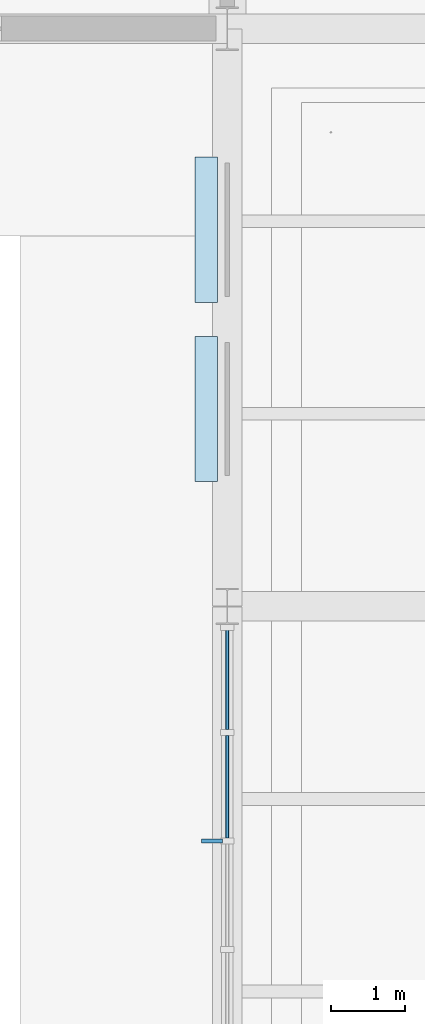
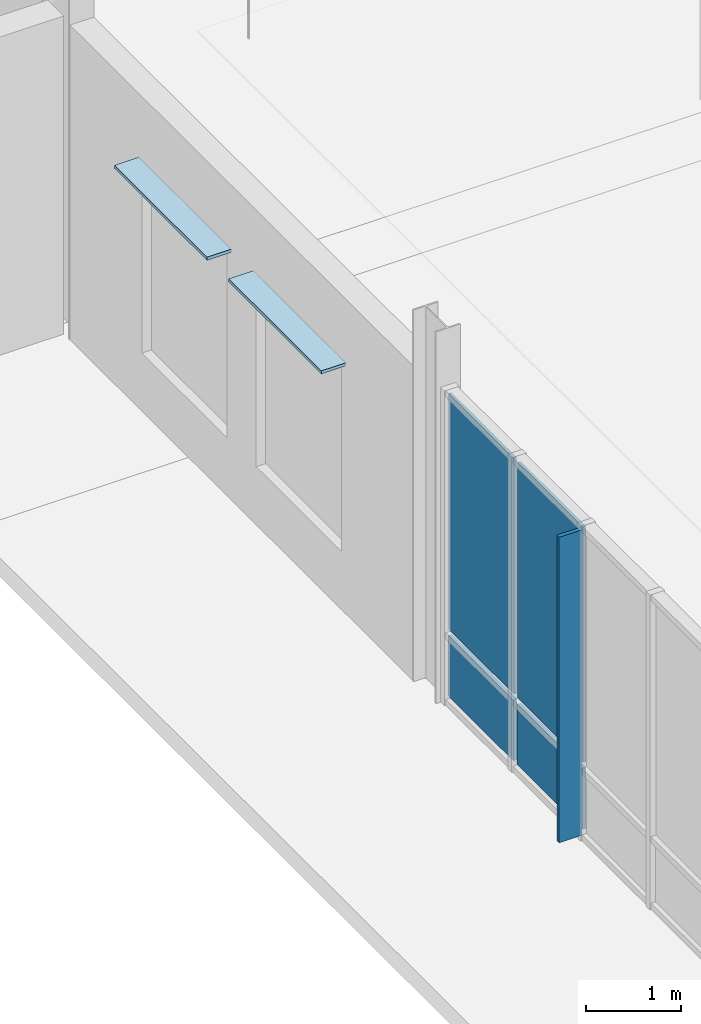
# One storey, part 46 of 82: 7 plates, 1 element without a shape of its own.
"""IFC4 building model written with IfcOpenShell, lengths in metres."""

from ifc_helpers import new_model, si_unit, direction, frame, origin, origin_2d, place, context, subcontext, project, spatial, rectangle, extrude, material, layer, layer_set, type_object, element, aggregate, save


model = new_model("IFC4")

# Units and contexts
model_context = context("Model", 3, precision=1e-05, world=origin(), true_north=direction((0.0, 1.0)))
body_context = subcontext(model_context, "Body", "Model", "MODEL_VIEW")
ifc_project = project(units=[si_unit("LENGTHUNIT", "METRE"), si_unit("AREAUNIT", "SQUARE_METRE"), si_unit("VOLUMEUNIT", "CUBIC_METRE"), si_unit("PLANEANGLEUNIT", "RADIAN"), si_unit("MASSUNIT", "GRAM", prefix="KILO")], contexts=[model_context])

# Site, building, storey
site_placement = place(None, origin())
site = spatial("IfcSite", under=ifc_project, at=site_placement, CompositionType="ELEMENT")
building_placement = place(site_placement, origin())
building = spatial("IfcBuilding", under=site, at=building_placement, Name="Yukiwa Park Conservatory and Herbarium", CompositionType="ELEMENT")
storey_placement = place(building_placement, origin())
storey = spatial("IfcBuildingStorey", under=building, at=storey_placement, Name="L00", CompositionType="ELEMENT", Elevation=0.0)

# Curtain wall, plates
ifc_material_1 = material(Name="Triple Low-E Insulated Glass", Category="glass")
ifc_layer_1 = layer(ifc_material_1, 0.199951171875)
ifc_layer_set_1 = layer_set([ifc_layer_1], Name="Triple Low-E Insulated Glass")
curtain_wall_type = type_object("IfcCurtainWallType", Name="CW-VISITOR-1600", PredefinedType="NOTDEFINED", material=ifc_layer_set_1)
curtain_wall_placement = place(storey_placement, origin())
curtain_wall = element("IfcCurtainWall", 1, at=curtain_wall_placement, inside=storey, type_object=curtain_wall_type, Name="L00 unitised curtain wall CW-L00-017", PredefinedType="NOTDEFINED")
ifc_material_2 = material(Name="Triple Low-E Insulated Glass", Category="glass")
ifc_layer_2 = layer(ifc_material_2, 0.035888671875)
ifc_layer_set_2 = layer_set([ifc_layer_2], Name="Triple Low-E Insulated Glass")
plate_type_1 = type_object("IfcPlateType", Name="PL-CW-GLZ-36", PredefinedType="CURTAIN_PANEL", material=ifc_layer_set_2)
plate_1_placement = place(storey_placement, frame((60.0, 69.224853515625, 0.93994140625), z_axis=(0.0, 0.0, 1.0), x_axis=(0.0, -1.0, 0.0)))
plate_1 = element("IfcPlate", 2, at=plate_1_placement, type_object=plate_type_1, Name="CW-L00-017 vision panel 1.2", PredefinedType="CURTAIN_PANEL", context=body_context, shape_type="SweptSolid", body=[
    extrude(rectangle(XDim=1.38232421875, YDim=0.035888671875, at=origin_2d()), origin(), (0.0, 0.0, 1.0), 3.0458984375),
])
plate_2_placement = place(storey_placement, frame((60.0, 67.762451171875, 0.93994140625), z_axis=(0.0, 0.0, 1.0), x_axis=(0.0, -1.0, 0.0)))
plate_2 = element("IfcPlate", 3, at=plate_2_placement, type_object=plate_type_1, Name="CW-L00-017 vision panel 2.2", PredefinedType="CURTAIN_PANEL", context=body_context, shape_type="SweptSolid", body=[
    extrude(rectangle(XDim=1.38232421875, YDim=0.035888671875, at=origin_2d()), origin(), (0.0, 0.0, 1.0), 3.0458984375),
])
ifc_material_3 = material(Name="Anodised Aluminium", Category="aluminium")
ifc_layer_3 = layer(ifc_material_3, 0.044921875)
ifc_layer_set_3 = layer_set([ifc_layer_3], Name="Anodised Aluminium")
plate_type_2 = type_object("IfcPlateType", Name="PL-CW-SPN-45", PredefinedType="CURTAIN_PANEL", material=ifc_layer_set_3)
plate_3_placement = place(storey_placement, frame((60.0, 69.224853515625, 0.080078125), z_axis=(0.0, 0.0, 1.0), x_axis=(0.0, -1.0, 0.0)))
plate_3 = element("IfcPlate", 4, at=plate_3_placement, type_object=plate_type_2, Name="CW-L00-017 spandrel panel 1.1", PredefinedType="CURTAIN_PANEL", context=body_context, shape_type="SweptSolid", body=[
    extrude(rectangle(XDim=1.38232421875, YDim=0.044921875, at=origin_2d()), origin(), (0.0, 0.0, 1.0), 0.780029296875),
])
plate_4_placement = place(storey_placement, frame((60.0, 67.762451171875, 0.080078125), z_axis=(0.0, 0.0, 1.0), x_axis=(0.0, -1.0, 0.0)))
plate_4 = element("IfcPlate", 5, at=plate_4_placement, type_object=plate_type_2, Name="CW-L00-017 spandrel panel 2.1", PredefinedType="CURTAIN_PANEL", context=body_context, shape_type="SweptSolid", body=[
    extrude(rectangle(XDim=1.38232421875, YDim=0.044921875, at=origin_2d()), origin(), (0.0, 0.0, 1.0), 0.780029296875),
])
aggregate(curtain_wall, [plate_3, plate_1, plate_4, plate_2])

# Plates
ifc_material_4 = material(Name="Anodised Aluminium", Category="aluminium")
ifc_layer_4 = layer(ifc_material_4, 0.050048828125)
ifc_layer_set_4 = layer_set([ifc_layer_4], Name="Anodised Aluminium")
plate_type_3 = type_object("IfcPlateType", Name="PL-FIN-ALU-50", PredefinedType="USERDEFINED", material=ifc_layer_set_4)
plate_5_placement = place(storey_placement, frame((59.794921875, 67.03125, 0.06005859375), z_axis=(0.0, 0.0, 1.0), x_axis=(0.0, -1.0, 0.0)))
element("IfcPlate", 6, at=plate_5_placement, inside=storey, type_object=plate_type_3, Name="CW-L00-017 exterior vertical shading fin", ObjectType="SHADING FIN", PredefinedType="USERDEFINED", context=body_context, shape_type="SweptSolid", body=[
    extrude(rectangle(XDim=0.050048828125, YDim=0.280029296875, at=origin_2d()), origin(), (0.0, 0.0, 1.0), 3.946044921875),
])
ifc_material_5 = material(Name="Anodised Aluminium", Category="aluminium")
ifc_layer_5 = layer(ifc_material_5, 0.0400390625)
ifc_layer_set_5 = layer_set([ifc_layer_5], Name="Anodised Aluminium")
plate_type_4 = type_object("IfcPlateType", Name="PL-SHADE-ALU-40", PredefinedType="SHEET", material=ifc_layer_set_5)
for number, where, z_axis, x_axis, name in (
    (7, (59.715087890625, 75.284912109375, 3.18994140625), (0.0, 0.0, 1.0), (0.0, -1.0, 0.0), "L00 snow-shedding window hood 22"),
    (8, (59.715087890625, 72.864990234375, 3.18994140625), (0.0, 0.0, 1.0), (0.0, -1.0, 0.0), "L00 snow-shedding window hood 23"),
):
    element("IfcPlate", number, at=place(storey_placement, frame(where, z_axis=z_axis, x_axis=x_axis)), inside=storey, type_object=plate_type_4, Name=name, PredefinedType="SHEET", context=body_context, shape_type="SweptSolid", body=[
        extrude(rectangle(XDim=1.9599609375, YDim=0.300048828125, at=origin_2d()), origin(), (0.0, 0.0, 1.0), 0.0400390625),
    ])

save(model, "model.ifc")
